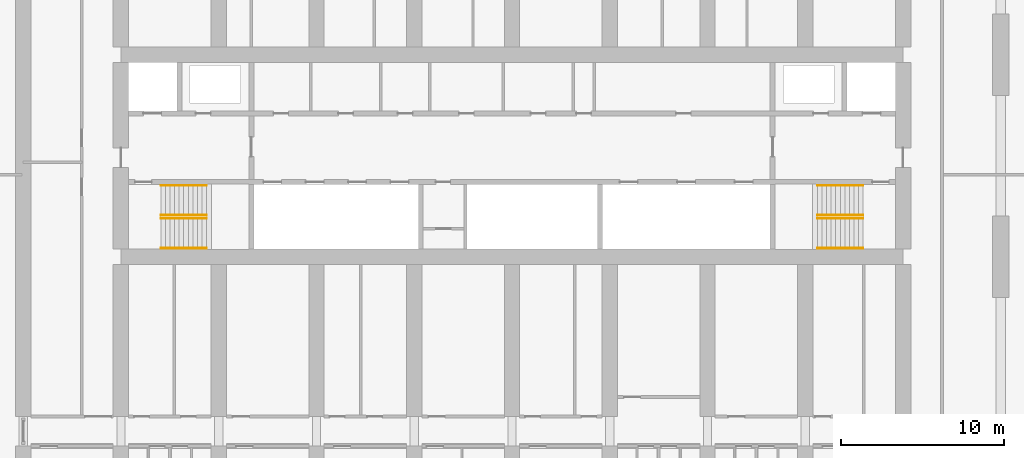
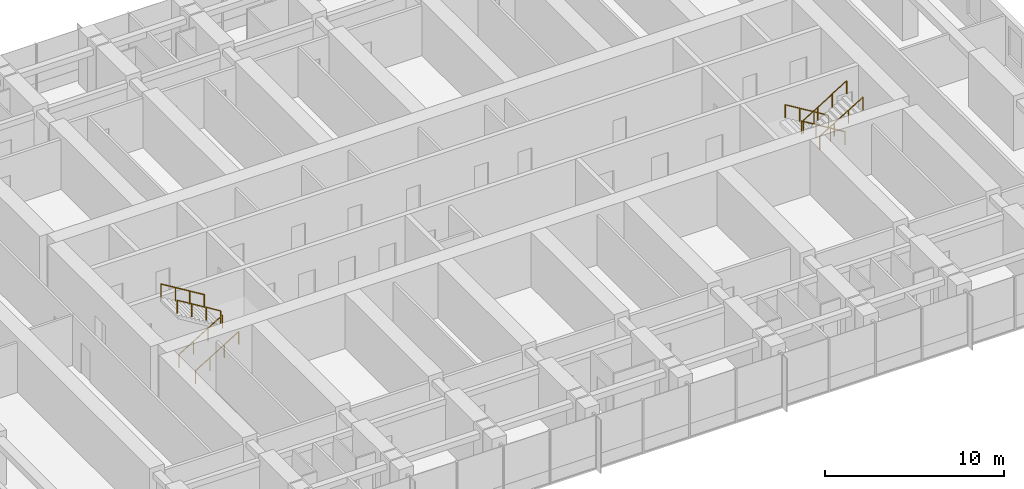
# One storey, part 20 of 20: 8 railings.
"""IFC4 building model written with IfcOpenShell, lengths in metres."""

from ifc_helpers import new_model, si_unit, direction, frame, origin, origin_2d, place, context, subcontext, project, spatial, circle, extrude, material, type_object, element, save


model = new_model("IFC4")

# Units and contexts
model_context = context("Model", 3, precision=1e-05, world=origin(), true_north=direction((0.0, 1.0)))
body_context = subcontext(model_context, "Body", "Model", "MODEL_VIEW")
ifc_project = project(units=[si_unit("LENGTHUNIT", "METRE"), si_unit("AREAUNIT", "SQUARE_METRE"), si_unit("VOLUMEUNIT", "CUBIC_METRE"), si_unit("PLANEANGLEUNIT", "RADIAN"), si_unit("MASSUNIT", "GRAM", prefix="KILO")], contexts=[model_context])

# Site, building, storey
site_placement = place(None, origin())
site = spatial("IfcSite", under=ifc_project, at=site_placement, CompositionType="ELEMENT")
building_placement = place(site_placement, origin())
building = spatial("IfcBuilding", under=site, at=building_placement, Name="Orbita Commons", CompositionType="ELEMENT")
storey_placement = place(building_placement, frame((0.0, 0.0, 129.39990234375)))
storey = spatial("IfcBuildingStorey", under=building, at=storey_placement, Name="L32", CompositionType="ELEMENT", Elevation=129.39990234375)

# Railings
ifc_material = material(Name="Steel tube, painted", Category="steel")
railing_type = type_object("IfcRailingType", Name="Stair handrail steel tube 900", PredefinedType="HANDRAIL", material=ifc_material)
for number, where, name in (
    (1, (20.449951171875, 28.1650390625, 0.170654296875), "Stair S1 handrail L32 flight 1"),
    (2, (20.449951171875, 26.3349609375, 0.170654296875), "Stair S1 handrail L32 flight 1"),
):
    element("IfcRailing", number, at=place(storey_placement, frame(where)), inside=storey, type_object=railing_type, Name=name, PredefinedType="HANDRAIL", context=body_context, shape_type="SweptSolid", body=[
        extrude(circle(Radius=0.02099609375, at=origin_2d()), frame((0.0, 0.0, 0.87890625), z_axis=(0.854202870247, 0.0, 0.519939858505), x_axis=(0.0, 1.0, 0.0)), (0.0, 0.0, 1.0), 3.278076171875),
        extrude(circle(Radius=0.02001953125, at=origin_2d()), origin(), (0.0, 0.0, 1.0), 0.85791015625),
        extrude(circle(Radius=0.02001953125, at=origin_2d()), frame((0.933349609375, 0.0, 0.568115234375)), (0.0, 0.0, 1.0), 0.85791015625),
        extrude(circle(Radius=0.02001953125, at=origin_2d()), frame((1.86669921875, 0.0, 1.13623046875)), (0.0, 0.0, 1.0), 0.85791015625),
        extrude(circle(Radius=0.02001953125, at=origin_2d()), frame((2.800048828125, 0.0, 1.704345703125)), (0.0, 0.0, 1.0), 0.85791015625),
    ])
for number, where, name in (
    (3, (23.25, 28.360107421875, 2.045654296875), "Stair S1 handrail L32 flight 2"),
    (4, (23.25, 30.18994140625, 2.045654296875), "Stair S1 handrail L32 flight 2"),
    (5, (63.550048828125, 28.360107421875, 0.170654296875), "Stair S2 handrail L32 flight 1"),
    (6, (63.550048828125, 30.18994140625, 0.170654296875), "Stair S2 handrail L32 flight 1"),
):
    element("IfcRailing", number, at=place(storey_placement, frame(where)), inside=storey, type_object=railing_type, Name=name, PredefinedType="HANDRAIL", context=body_context, shape_type="SweptSolid", body=[
        extrude(circle(Radius=0.02099609375, at=origin_2d()), frame((0.0, 0.0, 0.87890625), z_axis=(-0.854202870247, 0.0, 0.519939858505), x_axis=(0.0, -1.0, 0.0)), (0.0, 0.0, 1.0), 3.278076171875),
        extrude(circle(Radius=0.02001953125, at=origin_2d()), origin(), (0.0, 0.0, 1.0), 0.85791015625),
        extrude(circle(Radius=0.02001953125, at=origin_2d()), frame((-0.933349609375, 0.0, 0.568115234375)), (0.0, 0.0, 1.0), 0.85791015625),
        extrude(circle(Radius=0.02001953125, at=origin_2d()), frame((-1.86669921875, 0.0, 1.13623046875)), (0.0, 0.0, 1.0), 0.85791015625),
        extrude(circle(Radius=0.02001953125, at=origin_2d()), frame((-2.800048828125, 0.0, 1.704345703125)), (0.0, 0.0, 1.0), 0.85791015625),
    ])
for number, where, name in (
    (7, (60.75, 28.1650390625, 2.045654296875), "Stair S2 handrail L32 flight 2"),
    (8, (60.75, 26.3349609375, 2.045654296875), "Stair S2 handrail L32 flight 2"),
):
    element("IfcRailing", number, at=place(storey_placement, frame(where)), inside=storey, type_object=railing_type, Name=name, PredefinedType="HANDRAIL", context=body_context, shape_type="SweptSolid", body=[
        extrude(circle(Radius=0.02099609375, at=origin_2d()), frame((0.0, 0.0, 0.87890625), z_axis=(0.854202870247, 0.0, 0.519939858505), x_axis=(0.0, 1.0, 0.0)), (0.0, 0.0, 1.0), 3.278076171875),
        extrude(circle(Radius=0.02001953125, at=origin_2d()), origin(), (0.0, 0.0, 1.0), 0.85791015625),
        extrude(circle(Radius=0.02001953125, at=origin_2d()), frame((0.933349609375, 0.0, 0.568115234375)), (0.0, 0.0, 1.0), 0.85791015625),
        extrude(circle(Radius=0.02001953125, at=origin_2d()), frame((1.86669921875, 0.0, 1.13623046875)), (0.0, 0.0, 1.0), 0.85791015625),
        extrude(circle(Radius=0.02001953125, at=origin_2d()), frame((2.800048828125, 0.0, 1.704345703125)), (0.0, 0.0, 1.0), 0.85791015625),
    ])

save(model, "model.ifc")
